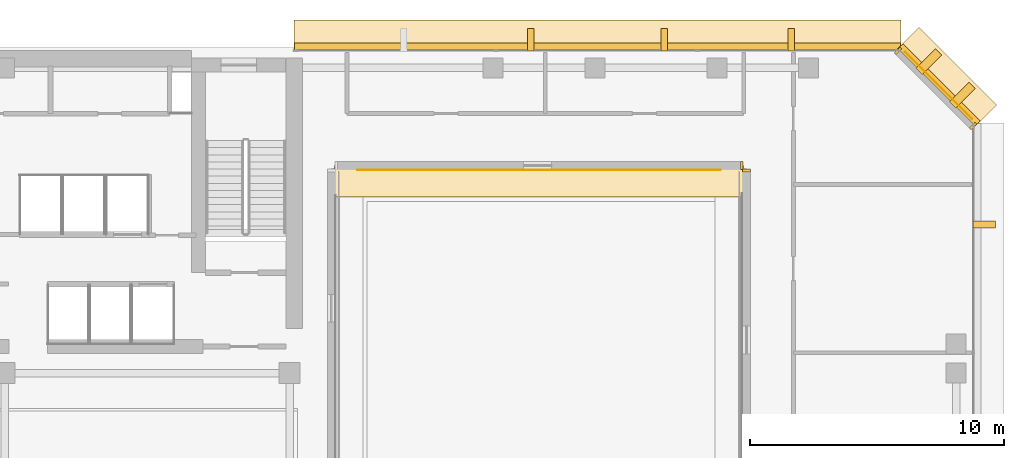
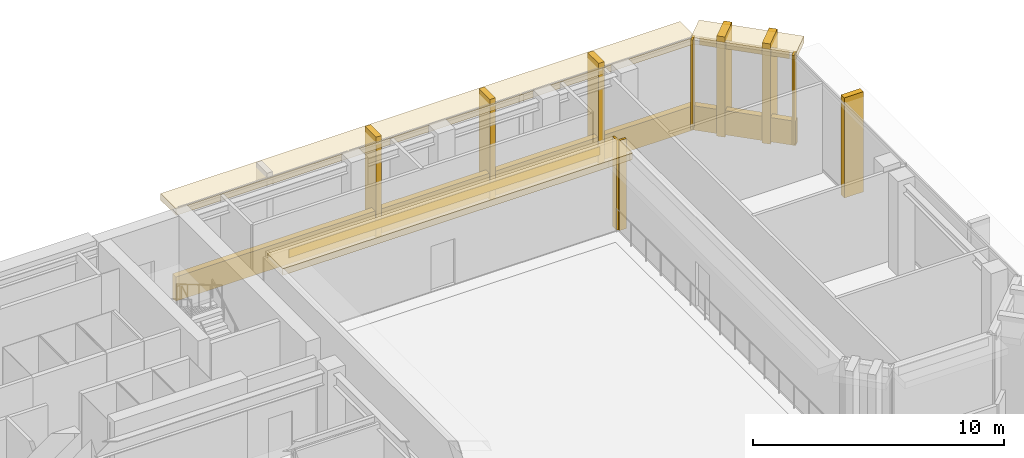
# One storey, part 12 of 12: 17 coverings.
"""IFC4 building model written with IfcOpenShell, lengths in metres."""

import ifcopenshell
import ifcopenshell.guid

model = None  # the IFC model being written
_history = None  # IfcOwnerHistory: only IFC2X3 demands one
_inside = {}  # id of a spatial element -> (the spatial element, [elements in it])
_under = {}  # id of a project, library or spatial element -> (it, [spatial elements below it])
_declared = {}  # id of a project -> (the project, [libraries it declares])
_typed = {}  # id of a type object -> (the type object, [elements of that type])
_made_of = {}  # id of a material, layer set ... -> (it, [elements and type objects made of it])


def new_model(schema):
    """Start an empty IFC model of exactly this schema.

    Asked for "IFC4X3", IfcOpenShell would pick the latest addendum, in which some entities
    have other attributes; the version numbers below select the first issue.
    IFC2X3 requires an IfcOwnerHistory on every rooted entity: one is made here for all.
    """
    global model, _history
    if schema == "IFC4X3":
        model = ifcopenshell.file(schema_version=(4, 3, 0, 0))
    else:
        model = ifcopenshell.file(schema=schema)
    _inside.clear()
    _under.clear()
    _declared.clear()
    _typed.clear()
    _made_of.clear()
    _history = None
    if model.schema == "IFC2X3":
        org = make("IfcOrganization", Name="unknown")
        user = make(
            "IfcPersonAndOrganization",
            ThePerson=make("IfcPerson", FamilyName="unknown"),
            TheOrganization=org,
        )
        app = make(
            "IfcApplication",
            ApplicationDeveloper=org,
            Version="unknown",
            ApplicationFullName="unknown",
            ApplicationIdentifier="unknown",
        )
        _history = make(
            "IfcOwnerHistory",
            OwningUser=user,
            OwningApplication=app,
            ChangeAction="ADDED",
            CreationDate=0,
        )
    return model


def make(cls, **values):
    """One entity of the class cls with the attributes given. An attribute that is None is left unset."""
    return model.create_entity(
        cls, **{name: value for name, value in values.items() if value is not None}
    )


def rooted(cls, **values):
    """An entity with a GlobalId (a new one), such as an element, a storey or a relation."""
    return make(cls, GlobalId=ifcopenshell.guid.new(), OwnerHistory=_history, **values)


def si_unit(unit_type, name, prefix=None):
    """IfcSIUnit, for example si_unit("LENGTHUNIT", "METRE", prefix="MILLI")."""
    return make("IfcSIUnit", UnitType=unit_type, Prefix=prefix, Name=name)


def assignment(units):
    """IfcUnitAssignment: the units of a project."""
    return None if units is None else make("IfcUnitAssignment", Units=units)


def point(xyz):
    """IfcCartesianPoint."""
    return None if xyz is None else make("IfcCartesianPoint", Coordinates=xyz)


def direction(xyz):
    """IfcDirection."""
    return None if xyz is None else make("IfcDirection", DirectionRatios=xyz)


def frame(location, z_axis=None, x_axis=None):
    """IfcAxis2Placement3D, a coordinate frame: its origin and axes. An axis left out is left unset."""
    return make(
        "IfcAxis2Placement3D",
        Location=point(location),
        Axis=direction(z_axis),
        RefDirection=direction(x_axis),
    )


def frame_2d(location, x_axis=None):
    """IfcAxis2Placement2D, a coordinate frame in the plane: its origin and x axis."""
    return make(
        "IfcAxis2Placement2D", Location=point(location), RefDirection=direction(x_axis)
    )


def origin():
    """The frame at (0, 0, 0) with its axes left unset."""
    return frame((0.0, 0.0, 0.0))


def origin_2d():
    """The frame at (0, 0) in the plane with its x axis left unset."""
    return frame_2d((0.0, 0.0))


def place(relative_to, where):
    """IfcLocalPlacement: puts the frame where relative to a parent placement (None: the world)."""
    return make(
        "IfcLocalPlacement", PlacementRelTo=relative_to, RelativePlacement=where
    )


def context(
    kind, dimensions, precision=None, world=None, true_north=None, identifier=None
):
    """IfcGeometricRepresentationContext, for example the 3D "Model" context."""
    return make(
        "IfcGeometricRepresentationContext",
        ContextIdentifier=identifier,
        ContextType=kind,
        CoordinateSpaceDimension=dimensions,
        Precision=precision,
        WorldCoordinateSystem=world,
        TrueNorth=true_north,
    )


def subcontext(parent, identifier, kind, view, scale=None):
    """IfcGeometricRepresentationSubContext, for example "Body" below "Model"."""
    return make(
        "IfcGeometricRepresentationSubContext",
        ContextIdentifier=identifier,
        ContextType=kind,
        ParentContext=parent,
        TargetScale=scale,
        TargetView=view,
    )


def project(units=None, contexts=None):
    """IfcProject with its units and contexts."""
    return rooted(
        "IfcProject",
        Name="project",
        RepresentationContexts=contexts,
        UnitsInContext=assignment(units),
    )


def spatial(cls, under=None, at=None, **own):
    """A site, building, storey or space (cls), placed at a placement, below another one or the project."""
    s = rooted(cls, ObjectPlacement=at, **own)
    if under is not None:
        _under.setdefault(under.id(), (under, []))[1].append(s)
    return s


def profile(cls, at=None, kind="AREA", **sizes):
    """A parametric profile (cls). Its sizes go by their IFC names, for example OverallWidth=200.0."""
    return make(cls, ProfileType=kind, Position=at, **sizes)


def rectangle(**sizes):
    """IfcRectangleProfileDef."""
    return profile("IfcRectangleProfileDef", **sizes)


def extrude(swept, where, along, depth):
    """IfcExtrudedAreaSolid: the profile swept, set in the frame where, extruded along a direction by depth."""
    return make(
        "IfcExtrudedAreaSolid",
        SweptArea=swept,
        Position=where,
        ExtrudedDirection=direction(along),
        Depth=depth,
    )


def shape(context_of_items, identifier, shape_type, items):
    """IfcShapeRepresentation: the items that make up one representation, for example the "Body"."""
    return make(
        "IfcShapeRepresentation",
        ContextOfItems=context_of_items,
        RepresentationIdentifier=identifier,
        RepresentationType=shape_type,
        Items=items,
    )


def material(Name=None, Category=None):
    """IfcMaterial."""
    return make("IfcMaterial", Name=Name, Category=Category)


def layer(
    of_material, thickness, ventilated=None, Name=None, Category=None, Priority=None
):
    """IfcMaterialLayer: one layer of a wall or slab, of a material (None: an air gap)."""
    return make(
        "IfcMaterialLayer",
        Material=of_material,
        LayerThickness=thickness,
        IsVentilated=ventilated,
        Name=Name,
        Category=Category,
        Priority=Priority,
    )


def layer_set(layers, Name=None):
    """IfcMaterialLayerSet."""
    return make("IfcMaterialLayerSet", MaterialLayers=layers, LayerSetName=Name)


def made_of(thing, what):
    """Note that an element or type object is made of a material, layer set ...; save() writes the relation."""
    if what is not None:
        _made_of.setdefault(what.id(), (what, []))[1].append(thing)
    return thing


def type_object(cls, material=None, **own):
    """A type object (cls), such as IfcWallType, which elements share."""
    return made_of(rooted(cls, **own), material)


def element(
    cls,
    number,
    at=None,
    inside=None,
    cuts=None,
    type_object=None,
    material=None,
    context=None,
    identifier="Body",
    shape_type=None,
    held_by="IfcProductDefinitionShape",
    body=None,
    shapes=None,
    **own,
):
    """One element of the class cls, such as IfcWall. Its Tag is "e" and its number.

    at: its placement. inside: the storey or other place that contains it. cuts: it is an
    opening in that element (IfcRelVoidsElement). A single representation is given by context,
    identifier, shape_type and body (its items); several are given by shapes. held_by: the class
    of the entity that holds the representations. save() writes the other relations.
    """
    e = rooted(cls, Tag="e%d" % number, ObjectPlacement=at, **own)
    if body is not None:
        shapes = [shape(context, identifier, shape_type, body)]
    if shapes is not None:
        e.Representation = make(held_by, Representations=shapes)
    if inside is not None:
        _inside.setdefault(inside.id(), (inside, []))[1].append(e)
    if cuts is not None:
        rooted(
            "IfcRelVoidsElement", RelatingBuildingElement=cuts, RelatedOpeningElement=e
        )
    if type_object is not None:
        _typed.setdefault(type_object.id(), (type_object, []))[1].append(e)
    return made_of(e, material)


def aggregate(whole, parts):
    """IfcRelAggregates: a whole, such as a stair, and the parts it consists of."""
    return rooted("IfcRelAggregates", RelatingObject=whole, RelatedObjects=parts)


def save(model, path):
    """Write the relations noted so far, then the file.

    IfcRelAggregates (storeys below a building ...), IfcRelContainedInSpatialStructure (elements
    in a storey), IfcRelDefinesByType, IfcRelAssociatesMaterial and IfcRelDeclares: one each for
    every whole, place, type object, material and project.
    """
    for whole, parts in _under.values():
        aggregate(whole, parts)
    for where, things in _inside.values():
        rooted(
            "IfcRelContainedInSpatialStructure",
            RelatedElements=things,
            RelatingStructure=where,
        )
    for kind, things in _typed.values():
        rooted("IfcRelDefinesByType", RelatedObjects=things, RelatingType=kind)
    for what, things in _made_of.values():
        rooted("IfcRelAssociatesMaterial", RelatedObjects=things, RelatingMaterial=what)
    for by, libraries in _declared.values():
        rooted("IfcRelDeclares", RelatingContext=by, RelatedDefinitions=libraries)
    model.write(path)


model = new_model("IFC4")

# Units and contexts
model_context = context("Model", 3, precision=1e-05, world=origin(), true_north=direction((0.0, 1.0)))
body_context = subcontext(model_context, "Body", "Model", "MODEL_VIEW")
ifc_project = project(units=[si_unit("LENGTHUNIT", "METRE"), si_unit("AREAUNIT", "SQUARE_METRE"), si_unit("VOLUMEUNIT", "CUBIC_METRE"), si_unit("PLANEANGLEUNIT", "RADIAN"), si_unit("MASSUNIT", "GRAM", prefix="KILO")], contexts=[model_context])

# Site, building, storey
site_placement = place(None, origin())
site = spatial("IfcSite", under=ifc_project, at=site_placement, CompositionType="ELEMENT")
building_placement = place(site_placement, origin())
building = spatial("IfcBuilding", under=site, at=building_placement, Name="Kefirva Bronze Tower", CompositionType="ELEMENT")
storey_placement = place(building_placement, frame((0.0, 0.0, 215.159912109375)))
storey = spatial("IfcBuildingStorey", under=building, at=storey_placement, Name="L52", CompositionType="ELEMENT", Elevation=215.159912109375)

# Coverings
ifc_material = material(Name="Bronze anodised aluminium", Category="aluminium")
ifc_layer_1 = layer(ifc_material, 0.02001953125, Name="Bronze anodised aluminium")
ifc_layer_set_1 = layer_set([ifc_layer_1], Name="Bronze anodised aluminium")
covering_type_1 = type_object("IfcCoveringType", Name="Anodised Bronze Spandrel Cladding 20mm", PredefinedType="CLADDING", material=ifc_layer_set_1)
covering_1_placement = place(storey_placement, frame((33.0, 41.18994140625, 3.9501953125), z_axis=(0.0, 0.0, 1.0), x_axis=(1.0, 0.0, 0.0)))
element("IfcCovering", 1, at=covering_1_placement, inside=storey, type_object=covering_type_1, Name="L52 Bronze Spandrel Cladding 5", PredefinedType="CLADDING", context=body_context, shape_type="SweptSolid", body=[
    extrude(rectangle(XDim=14.301025390625, YDim=0.02001953125, at=origin_2d()), origin(), (0.0, 0.0, 1.0), 0.39990234375),
])
for number, where, z_axis, x_axis, name in (
    (2, (40.965087890625, 41.360107421875, 0.0), (0.0, 0.0, 1.0), (1.0, 0.0, 0.0), "L52 Facade Joint Closure Panel 5E"),
    (3, (41.159912109375, 41.1650390625, 0.0), (0.0, 0.0, 1.0), (0.0, -1.0, 0.0), "L52 Facade Joint Closure Panel 6S"),
):
    element("IfcCovering", number, at=place(storey_placement, frame(where, z_axis=z_axis, x_axis=x_axis)), inside=storey, type_object=covering_type_1, Name=name, PredefinedType="CLADDING", context=body_context, shape_type="SweptSolid", body=[
        extrude(rectangle(XDim=0.10009765625, YDim=0.320068359375, at=origin_2d()), origin(), (0.0, 0.0, 1.0), 4.3701171875),
    ])
covering_2_placement = place(storey_placement, frame((48.70703125, 44.507080078125, 3.9501953125), z_axis=(0.0, 0.0, 1.0), x_axis=(-0.707106781187, 0.707106781187, 0.0)))
element("IfcCovering", 4, at=covering_2_placement, inside=storey, type_object=covering_type_1, Name="L52 Bronze Spandrel Cladding 10", PredefinedType="CLADDING", context=body_context, shape_type="SweptSolid", body=[
    extrude(rectangle(XDim=3.719482421875, YDim=0.02001953125, at=origin_2d()), origin(), (0.0, 0.0, 1.0), 0.39990234375),
])
for number, where, z_axis, x_axis, name in (
    (5, (50.06201171875, 42.91162109375, 0.0), (0.0, 0.0, 1.0), (-0.707106781187, 0.707106781187, 0.0), "L52 Facade Joint Closure Panel 10S"),
    (6, (47.11181640625, 45.862060546875, 0.0), (0.0, 0.0, 1.0), (-0.707106781187, 0.707106781187, 0.0), "L52 Facade Joint Closure Panel 10E"),
):
    element("IfcCovering", number, at=place(storey_placement, frame(where, z_axis=z_axis, x_axis=x_axis)), inside=storey, type_object=covering_type_1, Name=name, PredefinedType="CLADDING", context=body_context, shape_type="SweptSolid", body=[
        extrude(rectangle(XDim=0.10009765625, YDim=0.320068359375, at=origin_2d()), origin(), (0.0, 0.0, 1.0), 4.3701171875),
    ])
covering_3_placement = place(storey_placement, frame((48.728271484375, 44.5283203125, -0.15966796875), z_axis=(0.0, 0.0, 1.0), x_axis=(-0.707106781187, 0.707106781187, 0.0)))
element("IfcCovering", 7, at=covering_3_placement, inside=storey, type_object=covering_type_1, Name="L52 Streamline Horizontal Spandrel Band 12", PredefinedType="CLADDING", context=body_context, shape_type="SweptSolid", body=[
    extrude(rectangle(XDim=4.28271484375, YDim=0.280029296875, at=origin_2d()), origin(), (0.0, 0.0, 1.0), 1.179931640625),
])
covering_4_placement = place(storey_placement, frame((35.302490234375, 46.0400390625, -0.15966796875), z_axis=(0.0, 0.0, 1.0), x_axis=(-1.0, 0.0, 0.0)))
element("IfcCovering", 8, at=covering_4_placement, inside=storey, type_object=covering_type_1, Name="L52 Streamline Horizontal Spandrel Band 13", PredefinedType="CLADDING", context=body_context, shape_type="SweptSolid", body=[
    extrude(rectangle(XDim=23.8349609375, YDim=0.280029296875, at=origin_2d()), origin(), (0.0, 0.0, 1.0), 1.179931640625),
])
ifc_layer_2 = layer(ifc_material, 0.179931640625, Name="Bronze anodised aluminium")
ifc_layer_set_2 = layer_set([ifc_layer_2], Name="Bronze anodised aluminium")
covering_type_2 = type_object("IfcCoveringType", Name="Streamline Bronze Sunshade Eyebrow Cladding 180mm", PredefinedType="CLADDING", material=ifc_layer_set_2)
covering_5_placement = place(storey_placement, frame((33.0, 40.739990234375, 4.05029296875), z_axis=(0.0, 0.0, 1.0), x_axis=(1.0, 0.0, 0.0)))
element("IfcCovering", 9, at=covering_5_placement, inside=storey, type_object=covering_type_2, Name="L52 Streamline Bronze Sunshade Eyebrow 6", PredefinedType="CLADDING", context=body_context, shape_type="SweptSolid", body=[
    extrude(rectangle(XDim=16.080078125, YDim=1.239990234375, at=origin_2d()), origin(), (0.0, 0.0, 1.0), 0.320068359375),
])
covering_6_placement = place(storey_placement, frame((49.025390625, 44.8251953125, 4.05029296875), z_axis=(0.0, 0.0, 1.0), x_axis=(-0.707106781187, 0.707106781187, 0.0)))
element("IfcCovering", 10, at=covering_6_placement, inside=storey, type_object=covering_type_2, Name="L52 Streamline Bronze Sunshade Eyebrow 12", PredefinedType="CLADDING", context=body_context, shape_type="SweptSolid", body=[
    extrude(rectangle(XDim=4.322509765625, YDim=1.239990234375, at=origin_2d()), origin(), (0.0, 0.0, 1.0), 0.320068359375),
])
covering_7_placement = place(storey_placement, frame((35.302490234375, 46.4599609375, 4.05029296875), z_axis=(0.0, 0.0, 1.0), x_axis=(-1.0, 0.0, 0.0)))
element("IfcCovering", 11, at=covering_7_placement, inside=storey, type_object=covering_type_2, Name="L52 Streamline Bronze Sunshade Eyebrow 13", PredefinedType="CLADDING", context=body_context, shape_type="SweptSolid", body=[
    extrude(rectangle(XDim=23.875, YDim=1.239990234375, at=origin_2d()), origin(), (0.0, 0.0, 1.0), 0.320068359375),
])
ifc_layer_3 = layer(ifc_material, 0.260009765625, Name="Bronze anodised aluminium")
ifc_layer_set_3 = layer_set([ifc_layer_3], Name="Bronze anodised aluminium")
covering_type_3 = type_object("IfcCoveringType", Name="Unbroken Bronze Buttress Fin Cladding 260mm", PredefinedType="CLADDING", material=ifc_layer_set_3)
covering_8_placement = place(storey_placement, frame((50.5, 39.0400390625, -0.25), z_axis=(0.0, 0.0, 1.0), x_axis=(0.0, 1.0, 0.0)))
element("IfcCovering", 12, at=covering_8_placement, inside=storey, type_object=covering_type_3, Name="L52 Unbroken Vertical Bronze Rib Fin 14", PredefinedType="CLADDING", context=body_context, shape_type="SweptSolid", body=[
    extrude(rectangle(XDim=0.260009765625, YDim=0.8798828125, at=origin_2d()), origin(), (0.0, 0.0, 1.0), 4.8701171875),
])
for number, where, z_axis, x_axis, name in (
    (13, (49.642822265625, 44.122802734375, -0.25), (0.0, 0.0, 1.0), (-0.707106781187, 0.707106781187, 0.0), "L52 Chamfered Corner Buttress Fin Cladding 15"),
    (14, (48.32275390625, 45.44287109375, -0.25), (0.0, 0.0, 1.0), (-0.707106781187, 0.707106781187, 0.0), "L52 Chamfered Corner Buttress Fin Cladding 16"),
):
    element("IfcCovering", number, at=place(storey_placement, frame(where, z_axis=z_axis, x_axis=x_axis)), inside=storey, type_object=covering_type_3, Name=name, PredefinedType="CLADDING", context=body_context, shape_type="SweptSolid", body=[
        extrude(rectangle(XDim=0.340087890625, YDim=1.080078125, at=origin_2d()), origin(), (0.0, 0.0, 1.0), 4.8701171875),
    ])
for number, where, z_axis, x_axis, name in (
    (15, (42.9169921875, 46.300048828125, -0.25), (0.0, 0.0, 1.0), (-1.0, 0.0, 0.0), "L52 Unbroken Vertical Bronze Rib Fin 17"),
    (16, (37.919921875, 46.300048828125, -0.25), (0.0, 0.0, 1.0), (-1.0, 0.0, 0.0), "L52 Unbroken Vertical Bronze Rib Fin 18"),
    (17, (32.68505859375, 46.300048828125, -0.25), (0.0, 0.0, 1.0), (-1.0, 0.0, 0.0), "L52 Unbroken Vertical Bronze Rib Fin 19"),
):
    element("IfcCovering", number, at=place(storey_placement, frame(where, z_axis=z_axis, x_axis=x_axis)), inside=storey, type_object=covering_type_3, Name=name, PredefinedType="CLADDING", context=body_context, shape_type="SweptSolid", body=[
        extrude(rectangle(XDim=0.260009765625, YDim=0.8798828125, at=origin_2d()), origin(), (0.0, 0.0, 1.0), 4.8701171875),
    ])

save(model, "model.ifc")
